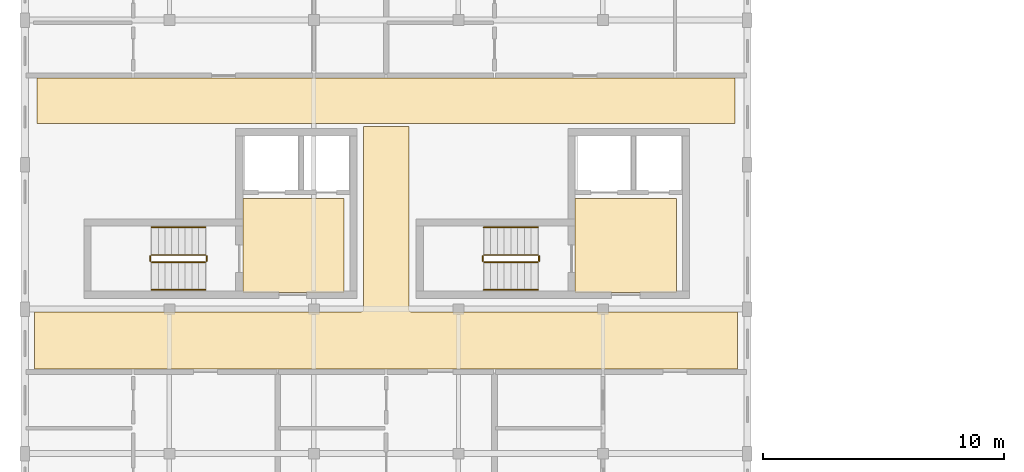
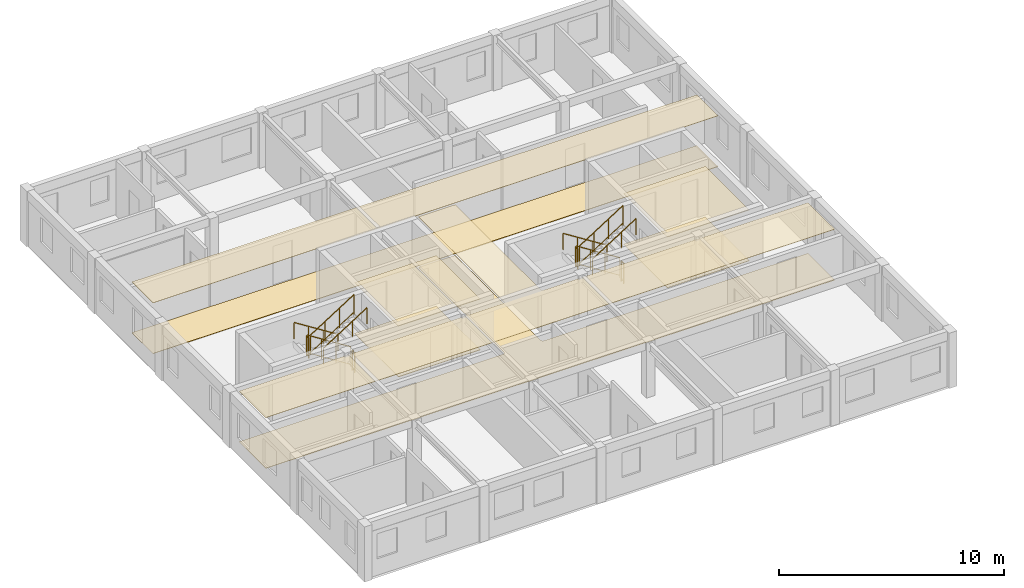
# One storey, part 8 of 9: 12 railings, 8 coverings.
"""IFC4 building model written with IfcOpenShell, lengths in metres."""

from ifc_helpers import new_model, si_unit, direction, frame, origin, origin_2d, place, context, subcontext, project, spatial, polyline, circle, outline, extrude, material, layer, layer_set, type_object, element, save


model = new_model("IFC4")

# Units and contexts
model_context = context("Model", 3, precision=1e-05, world=origin(), true_north=direction((0.0, 1.0)))
body_context = subcontext(model_context, "Body", "Model", "MODEL_VIEW")
ifc_project = project(units=[si_unit("LENGTHUNIT", "METRE"), si_unit("AREAUNIT", "SQUARE_METRE"), si_unit("VOLUMEUNIT", "CUBIC_METRE"), si_unit("PLANEANGLEUNIT", "RADIAN"), si_unit("MASSUNIT", "GRAM", prefix="KILO"), si_unit("POWERUNIT", "WATT"), si_unit("THERMODYNAMICTEMPERATUREUNIT", "KELVIN")], contexts=[model_context])

# Site, building, storey
site_placement = place(None, origin())
site = spatial("IfcSite", under=ifc_project, at=site_placement, CompositionType="ELEMENT")
building_placement = place(site_placement, origin())
building = spatial("IfcBuilding", under=site, at=building_placement, Name="Ruvembo Vaulted Housing Court", CompositionType="ELEMENT")
storey_placement = place(building_placement, frame((0.0, 0.0, 36.5)))
storey = spatial("IfcBuildingStorey", under=building, at=storey_placement, Name="L11", CompositionType="ELEMENT", Elevation=36.5)

# Coverings
ifc_material_1 = material(Name="Perforated Mineral-Fibre Acoustic Tile", Category="gypsum")
ifc_layer_1 = layer(ifc_material_1, 0.02001953125, Name="Perforated Mineral-Fibre Acoustic Tile")
ifc_layer_set_1 = layer_set([ifc_layer_1], Name="Perforated Mineral-Fibre Acoustic Tile")
covering_type_1 = type_object("IfcCoveringType", Name="COV-CEIL-ACOUST", PredefinedType="CEILING", material=ifc_layer_set_1)
covering_1_placement = place(storey_placement, frame((0.0, 0.0, 2.75)))
element("IfcCovering", 1, at=covering_1_placement, inside=storey, type_object=covering_type_1, Name="Firefighting Lift Lobby A1 Ceiling", PredefinedType="CEILING", context=body_context, shape_type="SweptSolid", body=[
    extrude(outline(polyline([(13.25, 22.60009765625), (9.050048828125, 22.60009765625), (9.050048828125, 18.699951171875), (13.25, 18.699951171875), (13.25, 22.60009765625)])), origin(), (0.0, 0.0, 1.0), 0.02001953125),
])
covering_2_placement = place(storey_placement, frame((0.0, 0.0, 2.75)))
element("IfcCovering", 2, at=covering_2_placement, inside=storey, type_object=covering_type_1, Name="Firefighting Lift Lobby A2 Ceiling", PredefinedType="CEILING", context=body_context, shape_type="SweptSolid", body=[
    extrude(outline(polyline([(27.050048828125, 22.60009765625), (22.85009765625, 22.60009765625), (22.85009765625, 18.699951171875), (27.050048828125, 18.699951171875), (27.050048828125, 22.60009765625)])), origin(), (0.0, 0.0, 1.0), 0.02001953125),
])
covering_3_placement = place(storey_placement, frame((0.0, 0.0, 2.75)))
element("IfcCovering", 3, at=covering_3_placement, inside=storey, type_object=covering_type_1, Name="Block A L11 Corridor Ceiling", PredefinedType="CEILING", context=body_context, shape_type="SweptSolid", body=[
    extrude(outline(polyline([(29.590087890625, 15.510009765625), (29.590087890625, 17.889892578125), (16.050048828125, 17.889892578125), (16.039306640625, 17.890380859375), (16.028564453125, 17.89208984375), (16.01806640625, 17.894775390625), (16.0078125, 17.8984375), (15.998046875, 17.903076171875), (15.989013671875, 17.908447265625), (15.980224609375, 17.9150390625), (15.97216796875, 17.922119140625), (15.965087890625, 17.93017578125), (15.95849609375, 17.93896484375), (15.952880859375, 17.947998046875), (15.948486328125, 17.9580078125), (15.944580078125, 17.968017578125), (15.942138671875, 17.978515625), (15.9404296875, 17.9892578125), (15.93994140625, 18.0), (15.93994140625, 25.590087890625), (14.06005859375, 25.590087890625), (14.06005859375, 18.0), (14.0595703125, 17.9892578125), (14.057861328125, 17.978515625), (14.055419921875, 17.968017578125), (14.051513671875, 17.9580078125), (14.047119140625, 17.947998046875), (14.04150390625, 17.93896484375), (14.034912109375, 17.93017578125), (14.02783203125, 17.922119140625), (14.019775390625, 17.9150390625), (14.010986328125, 17.908447265625), (14.001953125, 17.903076171875), (13.9921875, 17.8984375), (13.98193359375, 17.894775390625), (13.971435546875, 17.89208984375), (13.960693359375, 17.890380859375), (13.949951171875, 17.889892578125), (0.409912109375, 17.889892578125), (0.409912109375, 15.510009765625), (29.590087890625, 15.510009765625)])), origin(), (0.0, 0.0, 1.0), 0.02001953125),
])
covering_4_placement = place(storey_placement, frame((0.0, 0.0, 2.75)))
element("IfcCovering", 4, at=covering_4_placement, inside=storey, type_object=covering_type_1, Name="Block A L11 North Sub-Corridor Ceiling", PredefinedType="CEILING", context=body_context, shape_type="SweptSolid", body=[
    extrude(outline(polyline([(0.510009765625, 25.7099609375), (29.489990234375, 25.7099609375), (29.489990234375, 27.590087890625), (0.510009765625, 27.590087890625), (0.510009765625, 25.7099609375)])), origin(), (0.0, 0.0, 1.0), 0.02001953125),
])
ifc_material_2 = material(Name="Polished Cement-Aggregate Terrazzo", Category="stone")
ifc_layer_2 = layer(ifc_material_2, 0.02197265625, Name="Polished Cement-Aggregate Terrazzo")
ifc_layer_set_2 = layer_set([ifc_layer_2], Name="Polished Cement-Aggregate Terrazzo")
covering_type_2 = type_object("IfcCoveringType", Name="COV-FLR-CERAMIC", PredefinedType="FLOORING", material=ifc_layer_set_2)
covering_5_placement = place(storey_placement, origin())
element("IfcCovering", 5, at=covering_5_placement, inside=storey, type_object=covering_type_2, Name="Firefighting Lift Lobby A1 Flooring", PredefinedType="FLOORING", context=body_context, shape_type="SweptSolid", body=[
    extrude(outline(polyline([(13.25, 22.60009765625), (9.050048828125, 22.60009765625), (9.050048828125, 18.699951171875), (13.25, 18.699951171875), (13.25, 22.60009765625)])), origin(), (0.0, 0.0, 1.0), 0.02197265625),
])
covering_6_placement = place(storey_placement, origin())
element("IfcCovering", 6, at=covering_6_placement, inside=storey, type_object=covering_type_2, Name="Firefighting Lift Lobby A2 Flooring", PredefinedType="FLOORING", context=body_context, shape_type="SweptSolid", body=[
    extrude(outline(polyline([(27.050048828125, 22.60009765625), (22.85009765625, 22.60009765625), (22.85009765625, 18.699951171875), (27.050048828125, 18.699951171875), (27.050048828125, 22.60009765625)])), origin(), (0.0, 0.0, 1.0), 0.02197265625),
])
covering_7_placement = place(storey_placement, origin())
element("IfcCovering", 7, at=covering_7_placement, inside=storey, type_object=covering_type_2, Name="Block A L11 Corridor Flooring", PredefinedType="FLOORING", context=body_context, shape_type="SweptSolid", body=[
    extrude(outline(polyline([(29.590087890625, 15.510009765625), (29.590087890625, 17.889892578125), (16.050048828125, 17.889892578125), (16.039306640625, 17.890380859375), (16.028564453125, 17.89208984375), (16.01806640625, 17.894775390625), (16.0078125, 17.8984375), (15.998046875, 17.903076171875), (15.989013671875, 17.908447265625), (15.980224609375, 17.9150390625), (15.97216796875, 17.922119140625), (15.965087890625, 17.93017578125), (15.95849609375, 17.93896484375), (15.952880859375, 17.947998046875), (15.948486328125, 17.9580078125), (15.944580078125, 17.968017578125), (15.942138671875, 17.978515625), (15.9404296875, 17.9892578125), (15.93994140625, 18.0), (15.93994140625, 25.590087890625), (14.06005859375, 25.590087890625), (14.06005859375, 18.0), (14.0595703125, 17.9892578125), (14.057861328125, 17.978515625), (14.055419921875, 17.968017578125), (14.051513671875, 17.9580078125), (14.047119140625, 17.947998046875), (14.04150390625, 17.93896484375), (14.034912109375, 17.93017578125), (14.02783203125, 17.922119140625), (14.019775390625, 17.9150390625), (14.010986328125, 17.908447265625), (14.001953125, 17.903076171875), (13.9921875, 17.8984375), (13.98193359375, 17.894775390625), (13.971435546875, 17.89208984375), (13.960693359375, 17.890380859375), (13.949951171875, 17.889892578125), (0.409912109375, 17.889892578125), (0.409912109375, 15.510009765625), (29.590087890625, 15.510009765625)])), origin(), (0.0, 0.0, 1.0), 0.02197265625),
])
covering_8_placement = place(storey_placement, origin())
element("IfcCovering", 8, at=covering_8_placement, inside=storey, type_object=covering_type_2, Name="Block A L11 North Sub-Corridor Flooring", PredefinedType="FLOORING", context=body_context, shape_type="SweptSolid", body=[
    extrude(outline(polyline([(0.510009765625, 25.7099609375), (29.489990234375, 25.7099609375), (29.489990234375, 27.590087890625), (0.510009765625, 27.590087890625), (0.510009765625, 25.7099609375)])), origin(), (0.0, 0.0, 1.0), 0.02197265625),
])

# Railings
ifc_material_3 = material(Name="Painted Galvanised Steel S275", Category="steel")
ifc_layer_3 = layer(ifc_material_3, 0.06005859375, Name="Painted Galvanised Steel S275")
ifc_layer_set_3 = layer_set([ifc_layer_3], Name="Painted Galvanised Steel S275")
railing_type_1 = type_object("IfcRailingType", Name="RL-STAIR-GR1100", PredefinedType="GUARDRAIL", material=ifc_layer_set_3)
railing_1_placement = place(storey_placement, frame((7.5, 20.25, 0.177734375)))
element("IfcRailing", 9, at=railing_1_placement, inside=storey, type_object=railing_type_1, Name="L11 ST-A1 stair guard 1", PredefinedType="GUARDRAIL", context=body_context, shape_type="SweptSolid", body=[
    extrude(circle(Radius=0.02392578125, at=origin_2d()), frame((0.0, 0.0, 1.076171875), z_axis=(-0.84418770128, 0.0, 0.536047689118), x_axis=(0.0, -1.0, 0.0)), (0.0, 0.0, 1.0), 2.6533203125),
    extrude(circle(Radius=0.01806640625, at=origin_2d()), frame((0.0, 0.0, 0.1201171875), z_axis=(-0.84418770128, 0.0, 0.536047689118), x_axis=(0.0, -1.0, 0.0)), (0.0, 0.0, 1.0), 2.6533203125),
    extrude(circle(Radius=0.02099609375, at=origin_2d()), origin(), (0.0, 0.0, 1.0), 1.052001953125),
    extrude(circle(Radius=0.02099609375, at=origin_2d()), frame((-0.74658203125, 0.0, 0.47412109375)), (0.0, 0.0, 1.0), 1.052001953125),
    extrude(circle(Radius=0.02099609375, at=origin_2d()), frame((-1.493408203125, 0.0, 0.9482421875)), (0.0, 0.0, 1.0), 1.052001953125),
    extrude(circle(Radius=0.02099609375, at=origin_2d()), frame((-2.239990234375, 0.0, 1.42236328125)), (0.0, 0.0, 1.0), 1.052001953125),
])
railing_2_placement = place(storey_placement, frame((5.2099609375, 20.199951171875, 1.60009765625)))
element("IfcRailing", 10, at=railing_2_placement, inside=storey, type_object=railing_type_1, Name="L11 ST-A1 stair guard 2", PredefinedType="GUARDRAIL", context=body_context, shape_type="SweptSolid", body=[
    extrude(circle(Radius=0.02392578125, at=origin_2d()), frame((0.0, 0.0, 1.076171875), z_axis=(0.0, -1.0, 0.0), x_axis=(1.0, 0.0, 0.0)), (0.0, 0.0, 1.0), 0.199951171875),
    extrude(circle(Radius=0.01806640625, at=origin_2d()), frame((0.0, 0.0, 0.1201171875), z_axis=(0.0, -1.0, 0.0), x_axis=(1.0, 0.0, 0.0)), (0.0, 0.0, 1.0), 0.199951171875),
    extrude(circle(Radius=0.02099609375, at=origin_2d()), origin(), (0.0, 0.0, 1.0), 1.052001953125),
    extrude(circle(Radius=0.02099609375, at=origin_2d()), frame((0.0, -0.199951171875, 0.0)), (0.0, 0.0, 1.0), 1.052001953125),
])
railing_3_placement = place(storey_placement, frame((5.260009765625, 19.949951171875, 1.77783203125)))
element("IfcRailing", 11, at=railing_3_placement, inside=storey, type_object=railing_type_1, Name="L11 ST-A1 stair guard 3", PredefinedType="GUARDRAIL", context=body_context, shape_type="SweptSolid", body=[
    extrude(circle(Radius=0.02392578125, at=origin_2d()), frame((0.0, 0.0, 1.076171875), z_axis=(0.8442293374, 0.0, 0.53598211339), x_axis=(0.0, 1.0, 0.0)), (0.0, 0.0, 1.0), 2.6533203125),
    extrude(circle(Radius=0.01806640625, at=origin_2d()), frame((0.0, 0.0, 0.1201171875), z_axis=(0.8442293374, 0.0, 0.53598211339), x_axis=(0.0, 1.0, 0.0)), (0.0, 0.0, 1.0), 2.6533203125),
    extrude(circle(Radius=0.02099609375, at=origin_2d()), origin(), (0.0, 0.0, 1.0), 1.052001953125),
    extrude(circle(Radius=0.02099609375, at=origin_2d()), frame((0.74658203125, 0.0, 0.47412109375)), (0.0, 0.0, 1.0), 1.052001953125),
    extrude(circle(Radius=0.02099609375, at=origin_2d()), frame((1.493408203125, 0.0, 0.947998046875)), (0.0, 0.0, 1.0), 1.052001953125),
    extrude(circle(Radius=0.02099609375, at=origin_2d()), frame((2.239990234375, 0.0, 1.422119140625)), (0.0, 0.0, 1.0), 1.052001953125),
])
railing_4_placement = place(storey_placement, frame((7.550048828125, 20.199951171875, 0.0)))
element("IfcRailing", 12, at=railing_4_placement, inside=storey, type_object=railing_type_1, Name="L11 ST-A1 stair guard 4", PredefinedType="GUARDRAIL", context=body_context, shape_type="SweptSolid", body=[
    extrude(circle(Radius=0.02392578125, at=origin_2d()), frame((0.0, 0.0, 1.076171875), z_axis=(0.0, -1.0, 0.0), x_axis=(1.0, 0.0, 0.0)), (0.0, 0.0, 1.0), 0.199951171875),
    extrude(circle(Radius=0.01806640625, at=origin_2d()), frame((0.0, 0.0, 0.1201171875), z_axis=(0.0, -1.0, 0.0), x_axis=(1.0, 0.0, 0.0)), (0.0, 0.0, 1.0), 0.199951171875),
    extrude(circle(Radius=0.02099609375, at=origin_2d()), origin(), (0.0, 0.0, 1.0), 1.052001953125),
    extrude(circle(Radius=0.02099609375, at=origin_2d()), frame((0.0, -0.199951171875, 0.0)), (0.0, 0.0, 1.0), 1.052001953125),
])
railing_5_placement = place(storey_placement, frame((21.300048828125, 20.25, 0.177734375)))
element("IfcRailing", 13, at=railing_5_placement, inside=storey, type_object=railing_type_1, Name="L11 ST-A2 stair guard 1", PredefinedType="GUARDRAIL", context=body_context, shape_type="SweptSolid", body=[
    extrude(circle(Radius=0.02392578125, at=origin_2d()), frame((0.0, 0.0, 1.076171875), z_axis=(-0.84418770128, 0.0, 0.536047689118), x_axis=(0.0, -1.0, 0.0)), (0.0, 0.0, 1.0), 2.6533203125),
    extrude(circle(Radius=0.01806640625, at=origin_2d()), frame((0.0, 0.0, 0.1201171875), z_axis=(-0.84418770128, 0.0, 0.536047689118), x_axis=(0.0, -1.0, 0.0)), (0.0, 0.0, 1.0), 2.6533203125),
    extrude(circle(Radius=0.02099609375, at=origin_2d()), origin(), (0.0, 0.0, 1.0), 1.052001953125),
    extrude(circle(Radius=0.02099609375, at=origin_2d()), frame((-0.74658203125, 0.0, 0.47412109375)), (0.0, 0.0, 1.0), 1.052001953125),
    extrude(circle(Radius=0.02099609375, at=origin_2d()), frame((-1.493408203125, 0.0, 0.9482421875)), (0.0, 0.0, 1.0), 1.052001953125),
    extrude(circle(Radius=0.02099609375, at=origin_2d()), frame((-2.239990234375, 0.0, 1.42236328125)), (0.0, 0.0, 1.0), 1.052001953125),
])
railing_6_placement = place(storey_placement, frame((19.010009765625, 20.199951171875, 1.60009765625)))
element("IfcRailing", 14, at=railing_6_placement, inside=storey, type_object=railing_type_1, Name="L11 ST-A2 stair guard 2", PredefinedType="GUARDRAIL", context=body_context, shape_type="SweptSolid", body=[
    extrude(circle(Radius=0.02392578125, at=origin_2d()), frame((0.0, 0.0, 1.076171875), z_axis=(0.0, -1.0, 0.0), x_axis=(1.0, 0.0, 0.0)), (0.0, 0.0, 1.0), 0.199951171875),
    extrude(circle(Radius=0.01806640625, at=origin_2d()), frame((0.0, 0.0, 0.1201171875), z_axis=(0.0, -1.0, 0.0), x_axis=(1.0, 0.0, 0.0)), (0.0, 0.0, 1.0), 0.199951171875),
    extrude(circle(Radius=0.02099609375, at=origin_2d()), origin(), (0.0, 0.0, 1.0), 1.052001953125),
    extrude(circle(Radius=0.02099609375, at=origin_2d()), frame((0.0, -0.199951171875, 0.0)), (0.0, 0.0, 1.0), 1.052001953125),
])
railing_7_placement = place(storey_placement, frame((19.06005859375, 19.949951171875, 1.77783203125)))
element("IfcRailing", 15, at=railing_7_placement, inside=storey, type_object=railing_type_1, Name="L11 ST-A2 stair guard 3", PredefinedType="GUARDRAIL", context=body_context, shape_type="SweptSolid", body=[
    extrude(circle(Radius=0.02392578125, at=origin_2d()), frame((0.0, 0.0, 1.076171875), z_axis=(0.8442293374, 0.0, 0.53598211339), x_axis=(0.0, 1.0, 0.0)), (0.0, 0.0, 1.0), 2.6533203125),
    extrude(circle(Radius=0.01806640625, at=origin_2d()), frame((0.0, 0.0, 0.1201171875), z_axis=(0.8442293374, 0.0, 0.53598211339), x_axis=(0.0, 1.0, 0.0)), (0.0, 0.0, 1.0), 2.6533203125),
    extrude(circle(Radius=0.02099609375, at=origin_2d()), origin(), (0.0, 0.0, 1.0), 1.052001953125),
    extrude(circle(Radius=0.02099609375, at=origin_2d()), frame((0.74658203125, 0.0, 0.47412109375)), (0.0, 0.0, 1.0), 1.052001953125),
    extrude(circle(Radius=0.02099609375, at=origin_2d()), frame((1.493408203125, 0.0, 0.947998046875)), (0.0, 0.0, 1.0), 1.052001953125),
    extrude(circle(Radius=0.02099609375, at=origin_2d()), frame((2.239990234375, 0.0, 1.422119140625)), (0.0, 0.0, 1.0), 1.052001953125),
])
railing_8_placement = place(storey_placement, frame((21.35009765625, 20.199951171875, 0.0)))
element("IfcRailing", 16, at=railing_8_placement, inside=storey, type_object=railing_type_1, Name="L11 ST-A2 stair guard 4", PredefinedType="GUARDRAIL", context=body_context, shape_type="SweptSolid", body=[
    extrude(circle(Radius=0.02392578125, at=origin_2d()), frame((0.0, 0.0, 1.076171875), z_axis=(0.0, -1.0, 0.0), x_axis=(1.0, 0.0, 0.0)), (0.0, 0.0, 1.0), 0.199951171875),
    extrude(circle(Radius=0.01806640625, at=origin_2d()), frame((0.0, 0.0, 0.1201171875), z_axis=(0.0, -1.0, 0.0), x_axis=(1.0, 0.0, 0.0)), (0.0, 0.0, 1.0), 0.199951171875),
    extrude(circle(Radius=0.02099609375, at=origin_2d()), origin(), (0.0, 0.0, 1.0), 1.052001953125),
    extrude(circle(Radius=0.02099609375, at=origin_2d()), frame((0.0, -0.199951171875, 0.0)), (0.0, 0.0, 1.0), 1.052001953125),
])
ifc_material_4 = material(Name="Brushed Stainless Steel 304", Category="steel")
ifc_layer_4 = layer(ifc_material_4, 0.050048828125, Name="Brushed Stainless Steel 304")
ifc_layer_set_4 = layer_set([ifc_layer_4], Name="Brushed Stainless Steel 304")
railing_type_2 = type_object("IfcRailingType", Name="RL-STAIR-HR920", PredefinedType="HANDRAIL", material=ifc_layer_set_4)
railing_9_placement = place(storey_placement, frame((7.5, 21.39990234375, 0.359375)))
element("IfcRailing", 17, at=railing_9_placement, inside=storey, type_object=railing_type_2, Name="L11 ST-A1 stair handrail 1", PredefinedType="HANDRAIL", context=body_context, shape_type="SweptSolid", body=[
    extrude(circle(Radius=0.02392578125, at=origin_2d()), frame((0.0, 0.0, 0.8759765625), z_axis=(-0.8442293374, 0.0, 0.53598211339), x_axis=(0.0, -1.0, 0.0)), (0.0, 0.0, 1.0), 2.6533203125),
    extrude(circle(Radius=0.02099609375, at=origin_2d()), origin(), (0.0, 0.0, 1.0), 0.851806640625),
    extrude(circle(Radius=0.02099609375, at=origin_2d()), frame((-0.74658203125, 0.0, 0.47412109375)), (0.0, 0.0, 1.0), 0.851806640625),
    extrude(circle(Radius=0.02099609375, at=origin_2d()), frame((-1.493408203125, 0.0, 0.947998046875)), (0.0, 0.0, 1.0), 0.851806640625),
    extrude(circle(Radius=0.02099609375, at=origin_2d()), frame((-2.239990234375, 0.0, 1.422119140625)), (0.0, 0.0, 1.0), 0.851806640625),
])
railing_10_placement = place(storey_placement, frame((5.260009765625, 18.800048828125, 1.959228515625)))
element("IfcRailing", 18, at=railing_10_placement, inside=storey, type_object=railing_type_2, Name="L11 ST-A1 stair handrail 2", PredefinedType="HANDRAIL", context=body_context, shape_type="SweptSolid", body=[
    extrude(circle(Radius=0.02392578125, at=origin_2d()), frame((0.0, 0.0, 0.8759765625), z_axis=(0.84418770128, 0.0, 0.536047689118), x_axis=(0.0, 1.0, 0.0)), (0.0, 0.0, 1.0), 2.6533203125),
    extrude(circle(Radius=0.02099609375, at=origin_2d()), origin(), (0.0, 0.0, 1.0), 0.851806640625),
    extrude(circle(Radius=0.02099609375, at=origin_2d()), frame((0.74658203125, 0.0, 0.47412109375)), (0.0, 0.0, 1.0), 0.851806640625),
    extrude(circle(Radius=0.02099609375, at=origin_2d()), frame((1.493408203125, 0.0, 0.9482421875)), (0.0, 0.0, 1.0), 0.851806640625),
    extrude(circle(Radius=0.02099609375, at=origin_2d()), frame((2.239990234375, 0.0, 1.42236328125)), (0.0, 0.0, 1.0), 0.851806640625),
])
railing_11_placement = place(storey_placement, frame((21.300048828125, 21.39990234375, 0.359375)))
element("IfcRailing", 19, at=railing_11_placement, inside=storey, type_object=railing_type_2, Name="L11 ST-A2 stair handrail 1", PredefinedType="HANDRAIL", context=body_context, shape_type="SweptSolid", body=[
    extrude(circle(Radius=0.02392578125, at=origin_2d()), frame((0.0, 0.0, 0.8759765625), z_axis=(-0.8442293374, 0.0, 0.53598211339), x_axis=(0.0, -1.0, 0.0)), (0.0, 0.0, 1.0), 2.6533203125),
    extrude(circle(Radius=0.02099609375, at=origin_2d()), origin(), (0.0, 0.0, 1.0), 0.851806640625),
    extrude(circle(Radius=0.02099609375, at=origin_2d()), frame((-0.74658203125, 0.0, 0.47412109375)), (0.0, 0.0, 1.0), 0.851806640625),
    extrude(circle(Radius=0.02099609375, at=origin_2d()), frame((-1.493408203125, 0.0, 0.947998046875)), (0.0, 0.0, 1.0), 0.851806640625),
    extrude(circle(Radius=0.02099609375, at=origin_2d()), frame((-2.239990234375, 0.0, 1.422119140625)), (0.0, 0.0, 1.0), 0.851806640625),
])
railing_12_placement = place(storey_placement, frame((19.06005859375, 18.800048828125, 1.959228515625)))
element("IfcRailing", 20, at=railing_12_placement, inside=storey, type_object=railing_type_2, Name="L11 ST-A2 stair handrail 2", PredefinedType="HANDRAIL", context=body_context, shape_type="SweptSolid", body=[
    extrude(circle(Radius=0.02392578125, at=origin_2d()), frame((0.0, 0.0, 0.8759765625), z_axis=(0.84418770128, 0.0, 0.536047689118), x_axis=(0.0, 1.0, 0.0)), (0.0, 0.0, 1.0), 2.6533203125),
    extrude(circle(Radius=0.02099609375, at=origin_2d()), origin(), (0.0, 0.0, 1.0), 0.851806640625),
    extrude(circle(Radius=0.02099609375, at=origin_2d()), frame((0.74658203125, 0.0, 0.47412109375)), (0.0, 0.0, 1.0), 0.851806640625),
    extrude(circle(Radius=0.02099609375, at=origin_2d()), frame((1.493408203125, 0.0, 0.9482421875)), (0.0, 0.0, 1.0), 0.851806640625),
    extrude(circle(Radius=0.02099609375, at=origin_2d()), frame((2.239990234375, 0.0, 1.42236328125)), (0.0, 0.0, 1.0), 0.851806640625),
])

save(model, "model.ifc")
